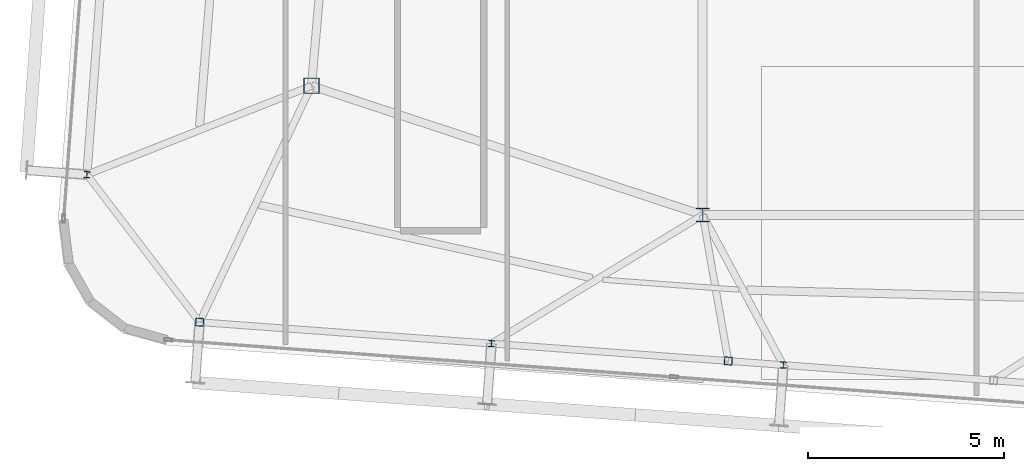
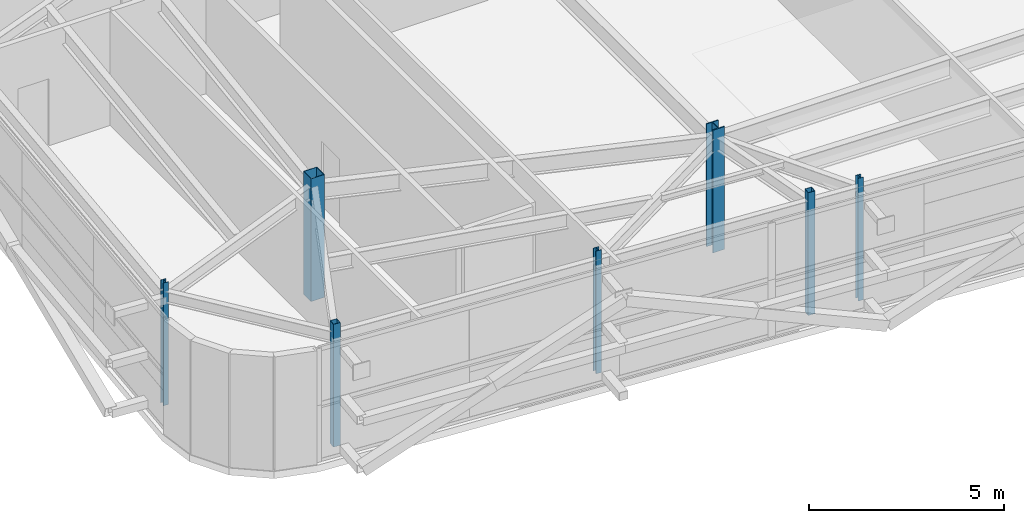
# One storey, part 1 of 35: 7 columns.
"""IFC4 building model written with IfcOpenShell, lengths in metres."""

from ifc_helpers import new_model, si_unit, direction, frame, origin, origin_2d, place, context, subcontext, project, spatial, hollow_rectangle, i_section, extrude, source, transform, mapped, material, material_profile, profile_set, type_object, element, save


model = new_model("IFC4")

# Units and contexts
model_context = context("Model", 3, precision=1e-05, world=origin(), true_north=direction((0.0, 1.0)))
body_context = subcontext(model_context, "Body", "Model", "MODEL_VIEW")
ifc_project = project(units=[si_unit("LENGTHUNIT", "METRE"), si_unit("AREAUNIT", "SQUARE_METRE"), si_unit("VOLUMEUNIT", "CUBIC_METRE"), si_unit("PLANEANGLEUNIT", "RADIAN"), si_unit("MASSUNIT", "GRAM", prefix="KILO")], contexts=[model_context])

# Site, building, storey
site_placement = place(None, origin())
site = spatial("IfcSite", under=ifc_project, at=site_placement, CompositionType="ELEMENT")
building_placement = place(site_placement, origin())
building = spatial("IfcBuilding", under=site, at=building_placement, Name="Taldren Reach Tower", CompositionType="ELEMENT")
storey_placement = place(building_placement, frame((0.0, 0.0, 249.199951171875)))
storey = spatial("IfcBuildingStorey", under=building, at=storey_placement, Name="L76", CompositionType="ELEMENT", Elevation=249.199951171875)

# Columns
ifc_material_1 = material(Name="Steel Gr 350 (350PLUS)", Category="steel")
ifc_material_profile_1 = material_profile(ifc_material_1, i_section(OverallWidth=0.35009765625, OverallDepth=0.35595703125, WebThickness=0.01806640625, FlangeThickness=0.028076171875, at=origin_2d()), Name="350WC197")
ifc_profile_set_1 = profile_set([ifc_material_profile_1], Name="Steel Gr 350 (350PLUS)")
column_type_1 = type_object("IfcColumnType", Name="COL-WC350", PredefinedType="COLUMN", material=ifc_profile_set_1)
shared_shape_1 = source(origin(), body_context, "Body", "SweptSolid", [
    extrude(i_section(OverallWidth=0.35009765625, OverallDepth=0.35595703125, WebThickness=0.01806640625, FlangeThickness=0.028076171875, at=origin_2d()), origin(), (0.0, 0.0, 1.0), 3.85009765625),
])
column_1_placement = place(storey_placement, frame((28.0, 9.199951171875, 0.0), z_axis=(0.0, 0.0, 1.0), x_axis=(1.0, 0.0, 0.0)))
element("IfcColumn", 1, at=column_1_placement, inside=storey, type_object=column_type_1, Name="Mega column MC-PJW L76", PredefinedType="COLUMN", context=body_context, shape_type="MappedRepresentation", body=[
    mapped(shared_shape_1, transform((0.0, 0.0, 0.0), scale=1.0)),
])
ifc_material_2 = material(Name="Steel Gr 450 (C450L0)", Category="steel")
ifc_material_profile_2 = material_profile(ifc_material_2, hollow_rectangle(XDim=0.39990234375, YDim=0.39990234375, WallThickness=0.01611328125, at=origin_2d()), Name="400x400x16.0SHS")
ifc_profile_set_2 = profile_set([ifc_material_profile_2], Name="Steel Gr 450 (C450L0)")
column_type_2 = type_object("IfcColumnType", Name="COL-SHS400", PredefinedType="COLUMN", material=ifc_profile_set_2)
shared_shape_2 = source(origin(), body_context, "Body", "SweptSolid", [
    extrude(hollow_rectangle(XDim=0.39990234375, YDim=0.39990234375, WallThickness=0.01611328125, at=origin_2d()), origin(), (0.0, 0.0, 1.0), 3.85009765625),
])
column_2_placement = place(storey_placement, frame((18.0, 12.5, 0.0), z_axis=(0.0, 0.0, 1.0), x_axis=(1.0, 0.0, 0.0)))
element("IfcColumn", 2, at=column_2_placement, inside=storey, type_object=column_type_2, Name="Mega column MC-SW L76", PredefinedType="COLUMN", context=body_context, shape_type="MappedRepresentation", body=[
    mapped(shared_shape_2, transform((0.0, 0.0, 0.0), scale=1.0)),
])
ifc_material_3 = material(Name="Steel Gr 350 (C350L0)", Category="steel")
ifc_material_profile_3 = material_profile(ifc_material_3, hollow_rectangle(XDim=0.199951171875, YDim=0.199951171875, WallThickness=0.009033203125, at=origin_2d()), Name="200x200x9.0SHS")
ifc_profile_set_3 = profile_set([ifc_material_profile_3], Name="Steel Gr 350 (C350L0)")
column_type_3 = type_object("IfcColumnType", Name="COL-SHS200", PredefinedType="COLUMN", material=ifc_profile_set_3)
shared_shape_3 = source(origin(), body_context, "Body", "SweptSolid", [
    extrude(hollow_rectangle(XDim=0.199951171875, YDim=0.199951171875, WallThickness=0.009033203125, at=origin_2d()), origin(), (0.0, 0.0, 1.0), 3.85009765625),
])
for number, where, z_axis, x_axis, name in (
    (3, (15.140625, 6.460205078125, 0.0), (0.0, 0.0, 1.0), (0.997314477224, -0.073238197128, 0.0), "Block B5 perimeter column S1 L76"),
    (4, (28.654296875, 5.4677734375, 0.0), (0.0, 0.0, 1.0), (0.997314477224, -0.073238197128, 0.0), "Block B5 perimeter column PJ1 L76"),
):
    element("IfcColumn", number, at=place(storey_placement, frame(where, z_axis=z_axis, x_axis=x_axis)), inside=storey, type_object=column_type_3, Name=name, PredefinedType="COLUMN", context=body_context, shape_type="MappedRepresentation", body=[
        mapped(shared_shape_3, transform((0.0, 0.0, 0.0), scale=1.0)),
    ])
ifc_material_profile_4 = material_profile(ifc_material_1, i_section(OverallWidth=0.154052734375, OverallDepth=0.162109375, WebThickness=0.008056640625, FlangeThickness=0.011474609375, at=origin_2d()), Name="150UC37.2")
ifc_profile_set_4 = profile_set([ifc_material_profile_4], Name="Steel Gr 350 (350PLUS)")
column_type_4 = type_object("IfcColumnType", Name="COL-UC150", PredefinedType="COLUMN", material=ifc_profile_set_4)
shared_shape_4 = source(origin(), body_context, "Body", "SweptSolid", [
    extrude(i_section(OverallWidth=0.154052734375, OverallDepth=0.162109375, WebThickness=0.008056640625, FlangeThickness=0.011474609375, at=origin_2d()), origin(), (0.0, 0.0, 1.0), 3.85009765625),
])
for number, where, z_axis, x_axis, name in (
    (5, (22.6005859375, 5.912353515625, 0.0), (0.0, 0.0, 1.0), (0.997314477224, -0.073238197128, 0.0), "Block B5 perimeter column S2 L76"),
    (6, (30.060546875, 5.364501953125, 0.0), (0.0, 0.0, 1.0), (0.997314477224, -0.073238197128, 0.0), "Block B5 perimeter column S3 L76"),
    (7, (12.259033203125, 10.2314453125, 0.0), (0.0, 0.0, 1.0), (0.997314477224, -0.073238197128, 0.0), "Block B5 perimeter column W1 L76"),
):
    element("IfcColumn", number, at=place(storey_placement, frame(where, z_axis=z_axis, x_axis=x_axis)), inside=storey, type_object=column_type_4, Name=name, PredefinedType="COLUMN", context=body_context, shape_type="MappedRepresentation", body=[
        mapped(shared_shape_4, transform((0.0, 0.0, 0.0), scale=1.0)),
    ])

save(model, "model.ifc")
